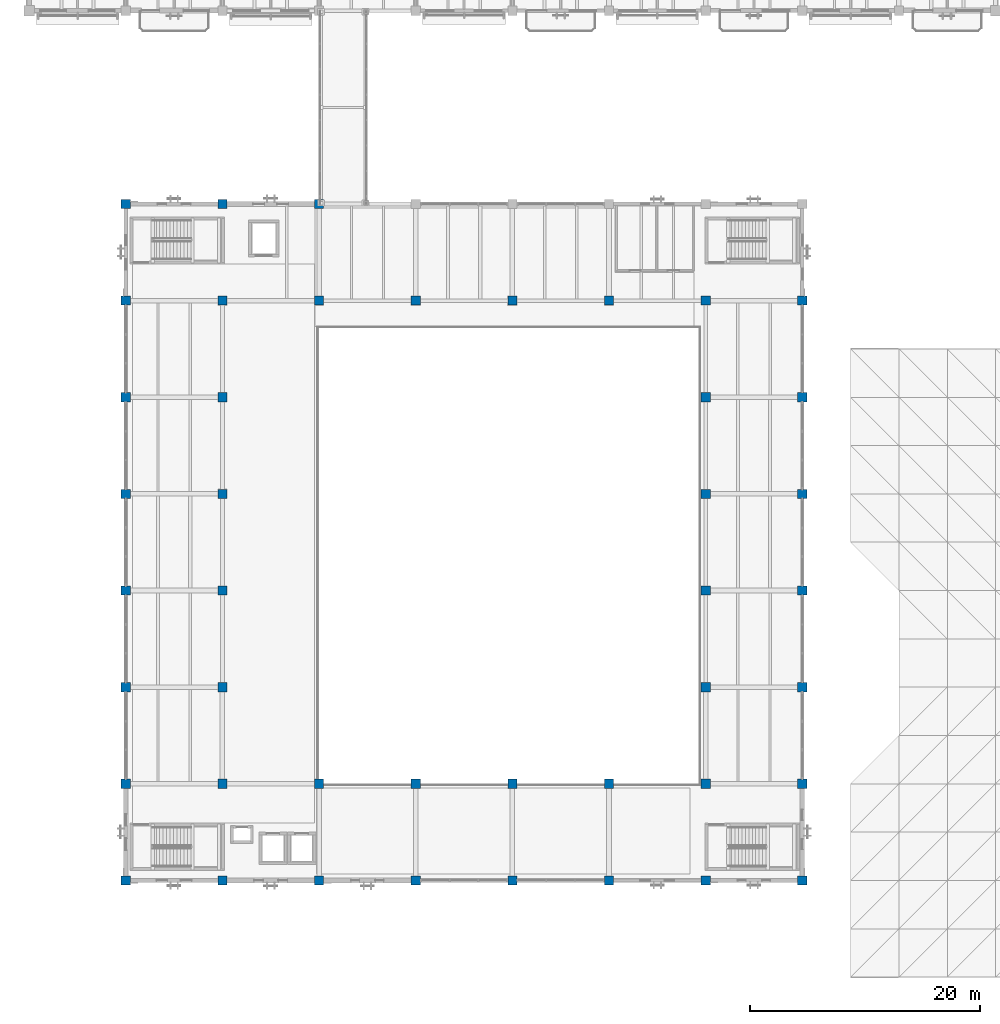
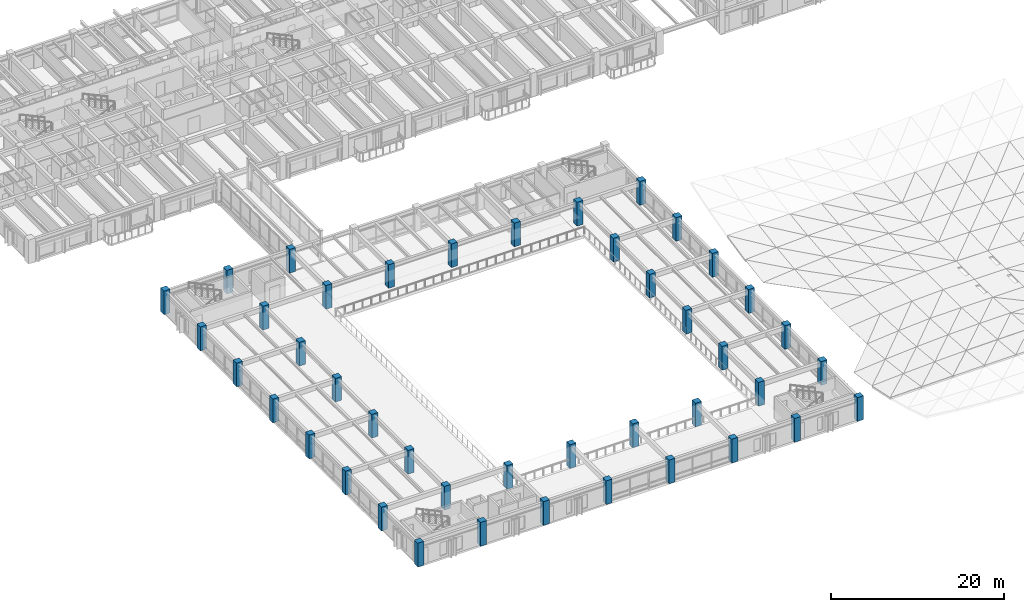
# One storey, part 1 of 123: 43 columns.
"""IFC4 building model written with IfcOpenShell, lengths in metres."""

from ifc_helpers import new_model, si_unit, direction, frame, origin, origin_2d, place, context, subcontext, project, spatial, rectangle, extrude, material, material_profile, profile_set, type_object, element, save


model = new_model("IFC4")

# Units and contexts
model_context = context("Model", 3, precision=1e-05, world=origin(), true_north=direction((0.0, 1.0)))
body_context = subcontext(model_context, "Body", "Model", "MODEL_VIEW")
ifc_project = project(units=[si_unit("LENGTHUNIT", "METRE"), si_unit("AREAUNIT", "SQUARE_METRE"), si_unit("VOLUMEUNIT", "CUBIC_METRE"), si_unit("PLANEANGLEUNIT", "RADIAN"), si_unit("MASSUNIT", "GRAM", prefix="KILO")], contexts=[model_context])

# Site, building, storey
site_placement = place(None, origin())
site = spatial("IfcSite", under=ifc_project, at=site_placement, CompositionType="ELEMENT")
building_placement = place(site_placement, origin())
building = spatial("IfcBuilding", under=site, at=building_placement, Name="Cumbredor Promenade Congress Hotel", CompositionType="ELEMENT")
storey_placement = place(building_placement, frame((0.0, 0.0, 11.760009765625)))
storey = spatial("IfcBuildingStorey", under=building, at=storey_placement, Name="L03", CompositionType="ELEMENT", Elevation=11.760009765625)

# Columns
ifc_material = material(Name="Concrete C50/60", Category="concrete")
ifc_material_profile = material_profile(ifc_material, rectangle(XDim=0.800048828125, YDim=0.800048828125, at=origin_2d()), Name="RC 800x800")
ifc_profile_set = profile_set([ifc_material_profile], Name="Concrete C50/60")
column_type = type_object("IfcColumnType", Name="COL-RC-800", PredefinedType="COLUMN", material=ifc_profile_set)
for number, where, z_axis, x_axis, name in (
    (1, (8.39990234375, 8.39990234375, 0.0), (0.0, 0.0, 1.0), (1.0, 0.0, 0.0), "L03 Structural Column 006"),
    (2, (8.39990234375, 16.800048828125, 0.0), (0.0, 0.0, 1.0), (1.0, 0.0, 0.0), "L03 Structural Column 007"),
    (3, (8.39990234375, 25.199951171875, 0.0), (0.0, 0.0, 1.0), (1.0, 0.0, 0.0), "L03 Structural Column 008"),
    (4, (8.39990234375, 33.60009765625, 0.0), (0.0, 0.0, 1.0), (1.0, 0.0, 0.0), "L03 Structural Column 009"),
    (5, (8.39990234375, 42.0, 0.0), (0.0, 0.0, 1.0), (1.0, 0.0, 0.0), "L03 Structural Column 010"),
    (6, (8.39990234375, 50.39990234375, 0.0), (0.0, 0.0, 1.0), (1.0, 0.0, 0.0), "L03 Structural Column 011"),
    (7, (8.39990234375, 58.800048828125, 0.0), (0.0, 0.0, 1.0), (1.0, 0.0, 0.0), "L03 Structural Column 012"),
    (8, (8.39990234375, 67.199951171875, 0.0), (0.0, 0.0, 1.0), (1.0, 0.0, 0.0), "L03 Structural Column 013"),
    (9, (16.800048828125, 8.39990234375, 0.0), (0.0, 0.0, 1.0), (1.0, 0.0, 0.0), "L03 Structural Column 019"),
    (10, (16.800048828125, 16.800048828125, 0.0), (0.0, 0.0, 1.0), (1.0, 0.0, 0.0), "L03 Structural Column 020"),
    (11, (16.800048828125, 25.199951171875, 0.0), (0.0, 0.0, 1.0), (1.0, 0.0, 0.0), "L03 Structural Column 021"),
    (12, (16.800048828125, 33.60009765625, 0.0), (0.0, 0.0, 1.0), (1.0, 0.0, 0.0), "L03 Structural Column 022"),
    (13, (16.800048828125, 42.0, 0.0), (0.0, 0.0, 1.0), (1.0, 0.0, 0.0), "L03 Structural Column 023"),
    (14, (16.800048828125, 50.39990234375, 0.0), (0.0, 0.0, 1.0), (1.0, 0.0, 0.0), "L03 Structural Column 024"),
    (15, (16.800048828125, 58.800048828125, 0.0), (0.0, 0.0, 1.0), (1.0, 0.0, 0.0), "L03 Structural Column 025"),
    (16, (16.800048828125, 67.199951171875, 0.0), (0.0, 0.0, 1.0), (1.0, 0.0, 0.0), "L03 Structural Column 026"),
    (17, (25.199951171875, 8.39990234375, 0.0), (0.0, 0.0, 1.0), (1.0, 0.0, 0.0), "L03 Structural Column 032"),
    (18, (25.199951171875, 16.800048828125, 0.0), (0.0, 0.0, 1.0), (1.0, 0.0, 0.0), "L03 Structural Column 033"),
    (19, (25.199951171875, 58.800048828125, 0.0), (0.0, 0.0, 1.0), (1.0, 0.0, 0.0), "L03 Structural Column 034"),
    (20, (25.199951171875, 67.199951171875, 0.0), (0.0, 0.0, 1.0), (1.0, 0.0, 0.0), "L03 Structural Column 035"),
    (21, (33.60009765625, 8.39990234375, 0.0), (0.0, 0.0, 1.0), (1.0, 0.0, 0.0), "L03 Structural Column 041"),
    (22, (33.60009765625, 16.800048828125, 0.0), (0.0, 0.0, 1.0), (1.0, 0.0, 0.0), "L03 Structural Column 042"),
    (23, (33.60009765625, 58.800048828125, 0.0), (0.0, 0.0, 1.0), (1.0, 0.0, 0.0), "L03 Structural Column 043"),
    (24, (42.0, 8.39990234375, 0.0), (0.0, 0.0, 1.0), (1.0, 0.0, 0.0), "L03 Structural Column 050"),
    (25, (42.0, 16.800048828125, 0.0), (0.0, 0.0, 1.0), (1.0, 0.0, 0.0), "L03 Structural Column 051"),
    (26, (42.0, 58.800048828125, 0.0), (0.0, 0.0, 1.0), (1.0, 0.0, 0.0), "L03 Structural Column 052"),
    (27, (50.39990234375, 8.39990234375, 0.0), (0.0, 0.0, 1.0), (1.0, 0.0, 0.0), "L03 Structural Column 059"),
    (28, (50.39990234375, 16.800048828125, 0.0), (0.0, 0.0, 1.0), (1.0, 0.0, 0.0), "L03 Structural Column 060"),
    (29, (50.39990234375, 58.800048828125, 0.0), (0.0, 0.0, 1.0), (1.0, 0.0, 0.0), "L03 Structural Column 061"),
    (30, (58.800048828125, 8.39990234375, 0.0), (0.0, 0.0, 1.0), (1.0, 0.0, 0.0), "L03 Structural Column 068"),
    (31, (58.800048828125, 16.800048828125, 0.0), (0.0, 0.0, 1.0), (1.0, 0.0, 0.0), "L03 Structural Column 069"),
    (32, (58.800048828125, 25.199951171875, 0.0), (0.0, 0.0, 1.0), (1.0, 0.0, 0.0), "L03 Structural Column 070"),
    (33, (58.800048828125, 33.60009765625, 0.0), (0.0, 0.0, 1.0), (1.0, 0.0, 0.0), "L03 Structural Column 071"),
    (34, (58.800048828125, 42.0, 0.0), (0.0, 0.0, 1.0), (1.0, 0.0, 0.0), "L03 Structural Column 072"),
    (35, (58.800048828125, 50.39990234375, 0.0), (0.0, 0.0, 1.0), (1.0, 0.0, 0.0), "L03 Structural Column 073"),
    (36, (58.800048828125, 58.800048828125, 0.0), (0.0, 0.0, 1.0), (1.0, 0.0, 0.0), "L03 Structural Column 074"),
    (37, (67.199951171875, 8.39990234375, 0.0), (0.0, 0.0, 1.0), (1.0, 0.0, 0.0), "L03 Structural Column 081"),
    (38, (67.199951171875, 16.800048828125, 0.0), (0.0, 0.0, 1.0), (1.0, 0.0, 0.0), "L03 Structural Column 082"),
    (39, (67.199951171875, 25.199951171875, 0.0), (0.0, 0.0, 1.0), (1.0, 0.0, 0.0), "L03 Structural Column 083"),
    (40, (67.199951171875, 33.60009765625, 0.0), (0.0, 0.0, 1.0), (1.0, 0.0, 0.0), "L03 Structural Column 084"),
    (41, (67.199951171875, 42.0, 0.0), (0.0, 0.0, 1.0), (1.0, 0.0, 0.0), "L03 Structural Column 085"),
    (42, (67.199951171875, 50.39990234375, 0.0), (0.0, 0.0, 1.0), (1.0, 0.0, 0.0), "L03 Structural Column 086"),
    (43, (67.199951171875, 58.800048828125, 0.0), (0.0, 0.0, 1.0), (1.0, 0.0, 0.0), "L03 Structural Column 087"),
):
    element("IfcColumn", number, at=place(storey_placement, frame(where, z_axis=z_axis, x_axis=x_axis)), inside=storey, type_object=column_type, Name=name, PredefinedType="COLUMN", context=body_context, shape_type="SweptSolid", body=[
        extrude(rectangle(XDim=0.800048828125, YDim=0.800048828125, at=origin_2d()), origin(), (0.0, 0.0, 1.0), 3.360107421875),
    ])

save(model, "model.ifc")
